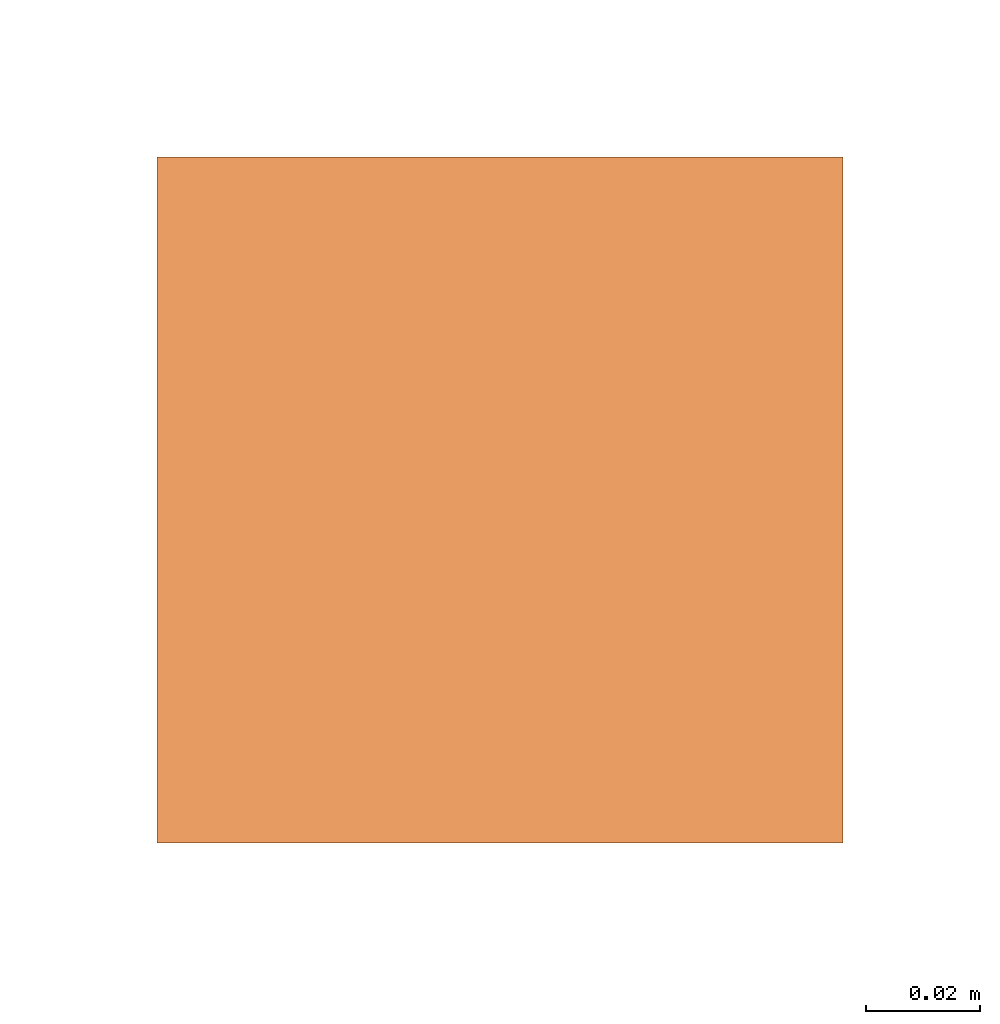
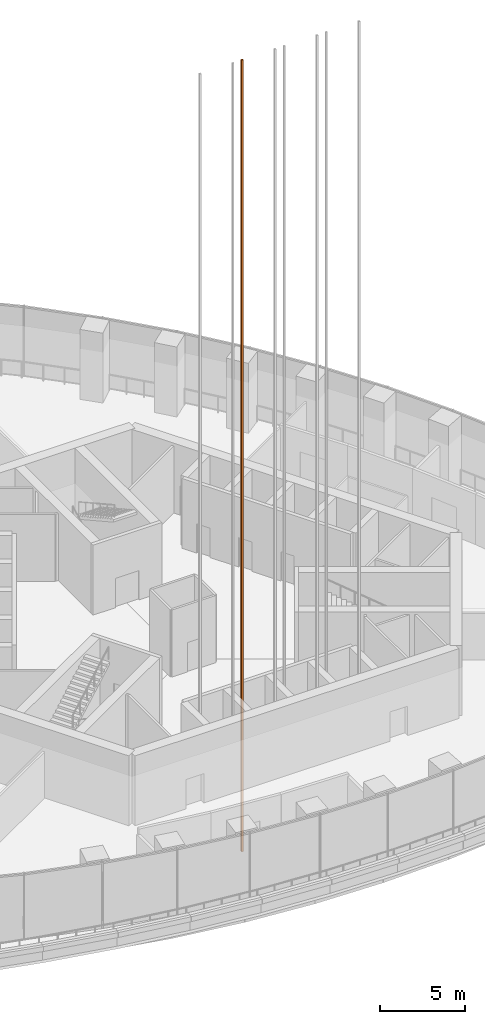
# One storey, part 21 of 26: 1 proxy.
"""IFC4 building model written with IfcOpenShell, lengths in metres."""

from ifc_helpers import new_model, si_unit, direction, frame, origin, origin_2d, place, context, subcontext, project, spatial, rectangle, extrude, element, save


model = new_model("IFC4")

# Units and contexts
model_context = context("Model", 3, precision=1e-05, world=origin(), true_north=direction((0.0, 1.0)))
body_context = subcontext(model_context, "Body", "Model", "MODEL_VIEW")
ifc_project = project(units=[si_unit("LENGTHUNIT", "METRE"), si_unit("AREAUNIT", "SQUARE_METRE"), si_unit("VOLUMEUNIT", "CUBIC_METRE"), si_unit("PLANEANGLEUNIT", "RADIAN"), si_unit("MASSUNIT", "GRAM", prefix="KILO")], contexts=[model_context])

# Site, building, storey
site_placement = place(None, origin())
site = spatial("IfcSite", under=ifc_project, at=site_placement, CompositionType="ELEMENT")
building_placement = place(site_placement, origin())
building = spatial("IfcBuilding", under=site, at=building_placement, Name="Trefoil Bronze Tower", CompositionType="ELEMENT")
storey_placement = place(building_placement, frame((0.0, 0.0, 271.300048828125)))
storey = spatial("IfcBuildingStorey", under=building, at=storey_placement, Name="L62", CompositionType="ELEMENT", Elevation=271.300048828125)

# Proxy
proxy_placement = place(storey_placement, frame((-2.534912109375, -11.3125, -6.0), z_axis=(0.0, 0.0, 1.0), x_axis=(1.0, 0.0, 0.0)))
element("IfcBuildingElementProxy", 1, at=proxy_placement, inside=storey, Name="Lift P42 guide rail 1", ObjectType="LIFT GUIDE RAIL", PredefinedType="USERDEFINED", context=body_context, shape_type="SweptSolid", body=[
    extrude(rectangle(XDim=0.1201171875, YDim=0.1201171875, at=origin_2d()), origin(), (0.0, 0.0, 1.0), 56.64990234375),
])

save(model, "model.ifc")
